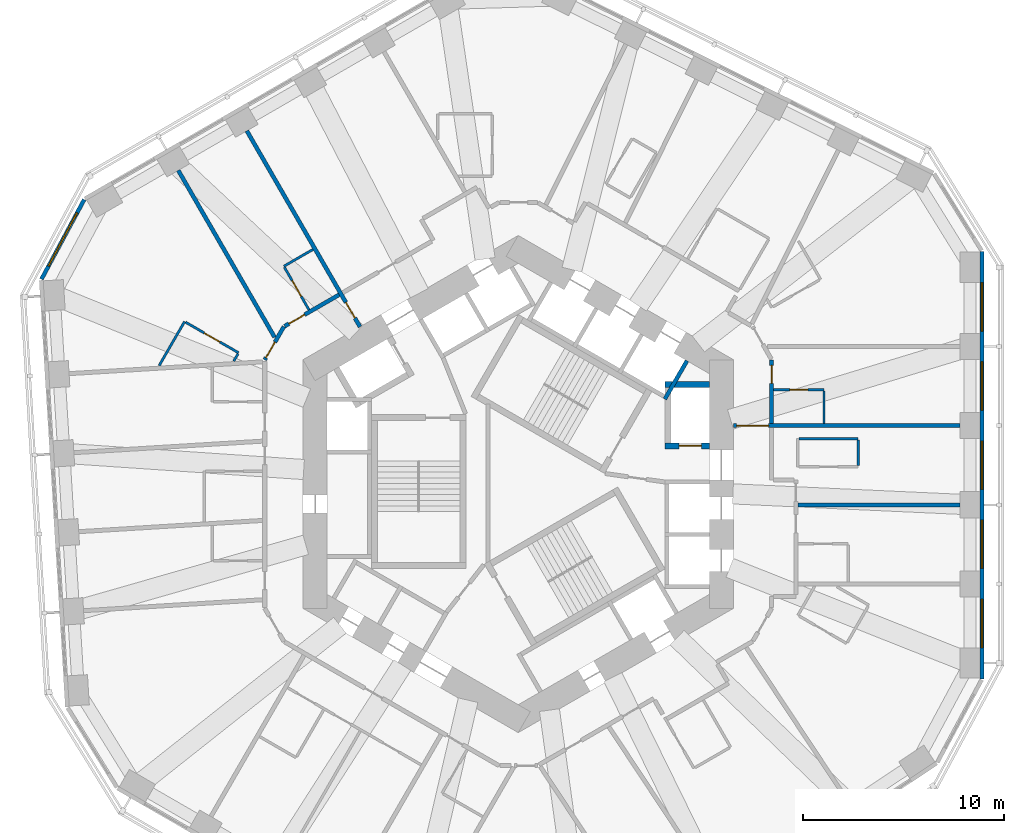
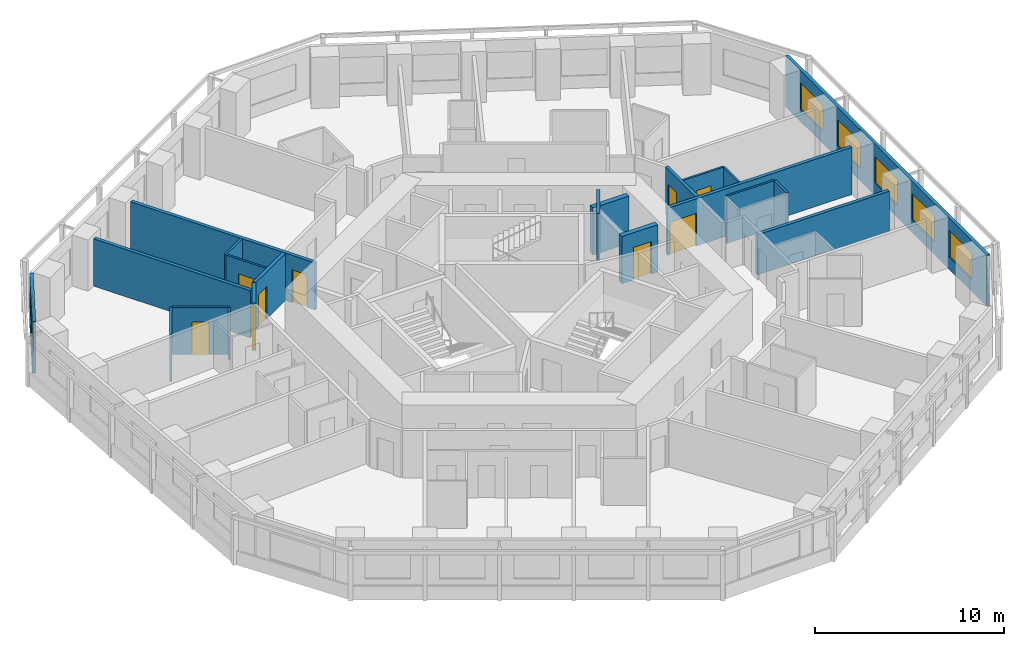
# One storey, part 7 of 12: 21 walls, 9 doors, 6 windows, 15 openings.
"""IFC4 building model written with IfcOpenShell, lengths in metres."""

from ifc_helpers import new_model, si_unit, direction, frame, frame_2d, origin, place, context, subcontext, project, spatial, rectangle, extrude, material, layer, layer_set, type_object, element, fill, save


model = new_model("IFC4")

# Units and contexts
model_context = context("Model", 3, precision=1e-05, world=origin(), true_north=direction((0.0, 1.0)))
body_context = subcontext(model_context, "Body", "Model", "MODEL_VIEW")
ifc_project = project(units=[si_unit("LENGTHUNIT", "METRE"), si_unit("AREAUNIT", "SQUARE_METRE"), si_unit("VOLUMEUNIT", "CUBIC_METRE"), si_unit("PLANEANGLEUNIT", "RADIAN"), si_unit("MASSUNIT", "GRAM", prefix="KILO")], contexts=[model_context])

# Site, building, storey
site_placement = place(None, origin())
site = spatial("IfcSite", under=ifc_project, at=site_placement, CompositionType="ELEMENT")
building_placement = place(site_placement, origin())
building = spatial("IfcBuilding", under=site, at=building_placement, Name="Vanh Sen Convention Tower", CompositionType="ELEMENT")
storey_placement = place(building_placement, frame((0.0, 0.0, 57.199951171875)))
storey = spatial("IfcBuildingStorey", under=building, at=storey_placement, Name="L11", CompositionType="ELEMENT", Elevation=57.199951171875)

# Wall
ifc_material_1 = material(Name="Moisture-resistant gypsum board on steel studs", Category="steel")
ifc_layer_1 = layer(ifc_material_1, 0.1201171875)
ifc_layer_set_1 = layer_set([ifc_layer_1], Name="Moisture-resistant gypsum board on steel studs")
wall_type_1 = type_object("IfcWallType", Name="Bathroom partition 120", PredefinedType="PARTITIONING", material=ifc_layer_set_1)
wall_1_placement = place(storey_placement, frame((-17.849365234375, 5.885498046875, 0.0), z_axis=(0.0, 0.0, 1.0), x_axis=(0.500034589094, 0.866005432841, 0.0)))
element("IfcWall", 1, at=wall_1_placement, inside=storey, type_object=wall_type_1, Name="Bathroom partition 120", PredefinedType="PARTITIONING", context=body_context, shape_type="SweptSolid", body=[
    extrude(rectangle(XDim=2.527587890625, YDim=0.1201171875, at=frame_2d((1.263671875, 0.0))), origin(), (0.0, 0.0, 1.0), 3.050048828125),
])

# Wall, opening, door
wall_2_placement = place(storey_placement, frame((-16.533447265625, 8.04443359375, 0.0), z_axis=(0.0, 0.0, 1.0), x_axis=(0.86601037836, -0.500026023896, 0.0)))
wall_2 = element("IfcWall", 2, at=wall_2_placement, inside=storey, type_object=wall_type_1, Name="Bathroom partition 120", PredefinedType="PARTITIONING", context=body_context, shape_type="SweptSolid", body=[
    extrude(rectangle(XDim=3.039794921875, YDim=0.1201171875, at=frame_2d((1.52001953125, 0.0))), origin(), (0.0, 0.0, 1.0), 3.050048828125),
])
opening_1_placement = place(wall_2_placement, frame((1.070068359375, 0.0, 0.0)))
opening_1 = element("IfcOpeningElement", 3, at=opening_1_placement, cuts=wall_2, Name="Opening D10119", PredefinedType="OPENING", context=body_context, shape_type="SweptSolid", body=[
    extrude(rectangle(XDim=0.89990234375, YDim=2.10009765625, at=frame_2d((0.449951171875, 1.050048828125))), frame((0.0, 0.070068359375, 0.0), z_axis=(0.0, -1.0, 0.0), x_axis=(1.0, 0.0, 0.0)), (0.0, 0.0, 1.0), 0.14013671875),
])
ifc_material_2 = material(Name="Laminate door in steel frame", Category="steel")
door_type_1 = type_object("IfcDoorType", Name="En-suite door 900", OperationType="SINGLE_SWING_LEFT", PredefinedType="DOOR", material=ifc_material_2)
door_1_placement = place(opening_1_placement, origin())
door_1 = element("IfcDoor", 4, at=door_1_placement, inside=storey, type_object=door_type_1, Name="En-suite door D10119", OperationType="SINGLE_SWING_LEFT", OverallHeight=2.10009765625, OverallWidth=0.89990234375, PredefinedType="DOOR", context=body_context, shape_type="SweptSolid", body=[
    extrude(rectangle(XDim=0.89990234375, YDim=2.10009765625, at=frame_2d((0.449951171875, 1.050048828125))), frame((0.0, 0.02490234375, 0.0), z_axis=(0.0, -1.0, 0.0), x_axis=(1.0, 0.0, 0.0)), (0.0, 0.0, 1.0), 0.050048828125),
])
fill(opening_1, door_1)

# Walls
wall_3_placement = place(storey_placement, frame((-13.930908203125, 6.472412109375, 0.0), z_axis=(0.0, 0.0, 1.0), x_axis=(-0.499739399214, -0.866175809448, 0.0)))
element("IfcWall", 5, at=wall_3_placement, inside=storey, type_object=wall_type_1, Name="Bathroom partition 120", PredefinedType="PARTITIONING", context=body_context, shape_type="SweptSolid", body=[
    extrude(rectangle(XDim=0.415771484375, YDim=0.1201171875, at=frame_2d((0.2080078125, 0.0))), origin(), (0.0, 0.0, 1.0), 3.050048828125),
])
wall_4_placement = place(storey_placement, frame((-11.65087890625, 10.82470703125, 0.0), z_axis=(0.0, 0.0, 1.0), x_axis=(0.865998477143, 0.500046635412, 0.0)))
element("IfcWall", 6, at=wall_4_placement, inside=storey, type_object=wall_type_1, Name="Bathroom partition 120", PredefinedType="PARTITIONING", context=body_context, shape_type="SweptSolid", body=[
    extrude(rectangle(XDim=1.673095703125, YDim=0.1201171875, at=frame_2d((0.83642578125, 0.0))), origin(), (0.0, 0.0, 1.0), 3.050048828125),
])

# Wall, opening, door
wall_5_placement = place(storey_placement, frame((-10.40087890625, 8.65966796875, 0.0), z_axis=(0.0, 0.0, 1.0), x_axis=(-0.500077547548, 0.865980627057, 0.0)))
wall_5 = element("IfcWall", 7, at=wall_5_placement, inside=storey, type_object=wall_type_1, Name="Bathroom partition 120", PredefinedType="PARTITIONING", context=body_context, shape_type="SweptSolid", body=[
    extrude(rectangle(XDim=2.43994140625, YDim=0.1201171875, at=frame_2d((1.219970703125, 0.0))), origin(), (0.0, 0.0, 1.0), 3.050048828125),
])
opening_2_placement = place(wall_5_placement, frame((0.77001953125, 0.0, 0.0)))
opening_2 = element("IfcOpeningElement", 8, at=opening_2_placement, cuts=wall_5, Name="Opening D10117", PredefinedType="OPENING", context=body_context, shape_type="SweptSolid", body=[
    extrude(rectangle(XDim=0.89990234375, YDim=2.10009765625, at=frame_2d((0.449951171875, 1.050048828125))), frame((0.0, 0.070068359375, 0.0), z_axis=(0.0, -1.0, 0.0), x_axis=(1.0, 0.0, 0.0)), (0.0, 0.0, 1.0), 0.14013671875),
])
door_2_placement = place(opening_2_placement, origin())
door_2 = element("IfcDoor", 9, at=door_2_placement, inside=storey, type_object=door_type_1, Name="En-suite door D10117", OperationType="SINGLE_SWING_LEFT", OverallHeight=2.10009765625, OverallWidth=0.89990234375, PredefinedType="DOOR", context=body_context, shape_type="SweptSolid", body=[
    extrude(rectangle(XDim=0.89990234375, YDim=2.10009765625, at=frame_2d((0.449951171875, 1.050048828125))), frame((0.0, 0.02490234375, 0.0), z_axis=(0.0, -1.0, 0.0), x_axis=(1.0, 0.0, 0.0)), (0.0, 0.0, 1.0), 0.050048828125),
])
fill(opening_2, door_2)

wall_6_placement = place(storey_placement, frame((12.699951171875, 4.677490234375, 0.0), z_axis=(0.0, 0.0, 1.0), x_axis=(1.0, 0.0, 0.0)))
wall_6 = element("IfcWall", 10, at=wall_6_placement, inside=storey, type_object=wall_type_1, Name="Bathroom partition 120", PredefinedType="PARTITIONING", context=body_context, shape_type="SweptSolid", body=[
    extrude(rectangle(XDim=2.5, YDim=0.1201171875, at=frame_2d((1.25, 0.0))), origin(), (0.0, 0.0, 1.0), 3.050048828125),
])
opening_3_placement = place(wall_6_placement, frame((0.800048828125, 0.0, 0.0)))
opening_3 = element("IfcOpeningElement", 11, at=opening_3_placement, cuts=wall_6, Name="Opening D10106", PredefinedType="OPENING", context=body_context, shape_type="SweptSolid", body=[
    extrude(rectangle(XDim=0.89990234375, YDim=2.10009765625, at=frame_2d((0.449951171875, 1.050048828125))), frame((0.0, 0.070068359375, 0.0), z_axis=(0.0, -1.0, 0.0), x_axis=(1.0, 0.0, 0.0)), (0.0, 0.0, 1.0), 0.14013671875),
])
door_3_placement = place(opening_3_placement, origin())
door_3 = element("IfcDoor", 12, at=door_3_placement, inside=storey, type_object=door_type_1, Name="En-suite door D10106", OperationType="SINGLE_SWING_LEFT", OverallHeight=2.10009765625, OverallWidth=0.89990234375, PredefinedType="DOOR", context=body_context, shape_type="SweptSolid", body=[
    extrude(rectangle(XDim=0.89990234375, YDim=2.10009765625, at=frame_2d((0.449951171875, 1.050048828125))), frame((0.0, 0.02490234375, 0.0), z_axis=(0.0, -1.0, 0.0), x_axis=(1.0, 0.0, 0.0)), (0.0, 0.0, 1.0), 0.050048828125),
])
fill(opening_3, door_3)

# Walls
wall_7_placement = place(storey_placement, frame((13.9599609375, 2.252685546875, 0.0), z_axis=(0.0, 0.0, 1.0), x_axis=(1.0, 0.0, 0.0)))
element("IfcWall", 13, at=wall_7_placement, inside=storey, type_object=wall_type_1, Name="Bathroom partition 120", PredefinedType="PARTITIONING", context=body_context, shape_type="SweptSolid", body=[
    extrude(rectangle(XDim=2.93994140625, YDim=0.1201171875, at=frame_2d((1.469970703125, 0.0))), origin(), (0.0, 0.0, 1.0), 3.050048828125),
])
wall_8_placement = place(storey_placement, frame((15.199951171875, 4.61767578125, 0.0), z_axis=(0.0, 0.0, 1.0), x_axis=(0.0, -1.0, 0.0)))
element("IfcWall", 14, at=wall_8_placement, inside=storey, type_object=wall_type_1, Name="Bathroom partition 120", PredefinedType="PARTITIONING", context=body_context, shape_type="SweptSolid", body=[
    extrude(rectangle(XDim=1.61328125, YDim=0.1201171875, at=frame_2d((0.806640625, 0.0))), origin(), (0.0, 0.0, 1.0), 3.050048828125),
])
wall_9_placement = place(storey_placement, frame((16.89990234375, 2.19287109375, 0.0), z_axis=(0.0, 0.0, 1.0), x_axis=(0.0, -1.0, 0.0)))
element("IfcWall", 15, at=wall_9_placement, inside=storey, type_object=wall_type_1, Name="Bathroom partition 120", PredefinedType="PARTITIONING", context=body_context, shape_type="SweptSolid", body=[
    extrude(rectangle(XDim=1.280029296875, YDim=0.1201171875, at=frame_2d((0.64013671875, 0.0))), origin(), (0.0, 0.0, 1.0), 3.050048828125),
])

# Wall, opening, door
ifc_material_3 = material(Name="Gypsum board on steel studs with mineral wool", Category="steel")
ifc_layer_2 = layer(ifc_material_3, 0.199951171875)
ifc_layer_set_2 = layer_set([ifc_layer_2], Name="Gypsum board on steel studs with mineral wool")
wall_type_2 = type_object("IfcWallType", Name="Corridor partition wall 200", PredefinedType="PARTITIONING", material=ifc_layer_set_2)
wall_10_placement = place(storey_placement, frame((-11.64990234375, 7.822998046875, 0.0), z_axis=(0.0, 0.0, 1.0), x_axis=(-0.500063520245, -0.865988727248, 0.0)))
wall_10 = element("IfcWall", 16, at=wall_10_placement, inside=storey, type_object=wall_type_2, Name="Corridor partition wall 200", PredefinedType="PARTITIONING", context=body_context, shape_type="SweptSolid", body=[
    extrude(rectangle(XDim=1.900146484375, YDim=0.199951171875, at=frame_2d((0.9501953125, 0.0))), origin(), (0.0, 0.0, 1.0), 3.050048828125),
])
opening_4_placement = place(wall_10_placement, frame((0.8818359375, 0.0, 0.0)))
opening_4 = element("IfcOpeningElement", 17, at=opening_4_placement, cuts=wall_10, Name="Opening D10118", PredefinedType="OPENING", context=body_context, shape_type="SweptSolid", body=[
    extrude(rectangle(XDim=0.89990234375, YDim=2.10009765625, at=frame_2d((0.449951171875, 1.050048828125))), frame((0.0, 0.10986328125, 0.0), z_axis=(0.0, -1.0, 0.0), x_axis=(1.0, 0.0, 0.0)), (0.0, 0.0, 1.0), 0.219970703125),
])
ifc_material_4 = material(Name="Timber fire door in steel frame", Category="steel")
door_type_2 = type_object("IfcDoorType", Name="Guest room door 900", OperationType="SINGLE_SWING_LEFT", PredefinedType="DOOR", material=ifc_material_4)
door_4_placement = place(opening_4_placement, origin())
door_4 = element("IfcDoor", 18, at=door_4_placement, inside=storey, type_object=door_type_2, Name="Hotel guest room door D10118", OperationType="SINGLE_SWING_LEFT", OverallHeight=2.10009765625, OverallWidth=0.89990234375, PredefinedType="DOOR", context=body_context, shape_type="SweptSolid", body=[
    extrude(rectangle(XDim=0.89990234375, YDim=2.10009765625, at=frame_2d((0.449951171875, 1.050048828125))), frame((0.0, 0.02490234375, 0.0), z_axis=(0.0, -1.0, 0.0), x_axis=(1.0, 0.0, 0.0)), (0.0, 0.0, 1.0), 0.050048828125),
])
fill(opening_4, door_4)

wall_11_placement = place(storey_placement, frame((-8.902099609375, 9.40966796875, 0.0), z_axis=(0.0, 0.0, 1.0), x_axis=(-0.866014299198, -0.500019233215, 0.0)))
wall_11 = element("IfcWall", 19, at=wall_11_placement, inside=storey, type_object=wall_type_2, Name="Corridor partition wall 200", PredefinedType="PARTITIONING", context=body_context, shape_type="SweptSolid", body=[
    extrude(rectangle(XDim=3.13330078125, YDim=0.199951171875, at=frame_2d((1.566650390625, 0.0))), origin(), (0.0, 0.0, 1.0), 3.050048828125),
])
opening_5_placement = place(wall_11_placement, frame((1.97802734375, 0.0, 0.0)))
opening_5 = element("IfcOpeningElement", 20, at=opening_5_placement, cuts=wall_11, Name="Opening D10116", PredefinedType="OPENING", context=body_context, shape_type="SweptSolid", body=[
    extrude(rectangle(XDim=0.89990234375, YDim=2.10009765625, at=frame_2d((0.449951171875, 1.050048828125))), frame((0.0, 0.10986328125, 0.0), z_axis=(0.0, -1.0, 0.0), x_axis=(1.0, 0.0, 0.0)), (0.0, 0.0, 1.0), 0.219970703125),
])
door_5_placement = place(opening_5_placement, origin())
door_5 = element("IfcDoor", 21, at=door_5_placement, inside=storey, type_object=door_type_2, Name="Hotel guest room door D10116", OperationType="SINGLE_SWING_LEFT", OverallHeight=2.10009765625, OverallWidth=0.89990234375, PredefinedType="DOOR", context=body_context, shape_type="SweptSolid", body=[
    extrude(rectangle(XDim=0.89990234375, YDim=2.10009765625, at=frame_2d((0.449951171875, 1.050048828125))), frame((0.0, 0.02490234375, 0.0), z_axis=(0.0, -1.0, 0.0), x_axis=(1.0, 0.0, 0.0)), (0.0, 0.0, 1.0), 0.050048828125),
])
fill(opening_5, door_5)

wall_12_placement = place(storey_placement, frame((12.60009765625, 3.00439453125, 0.0), z_axis=(0.0, 0.0, 1.0), x_axis=(0.0, 1.0, 0.0)))
wall_12 = element("IfcWall", 22, at=wall_12_placement, inside=storey, type_object=wall_type_2, Name="Corridor partition wall 200", PredefinedType="PARTITIONING", context=body_context, shape_type="SweptSolid", body=[
    extrude(rectangle(XDim=3.173095703125, YDim=0.199951171875, at=frame_2d((1.58642578125, 0.0))), origin(), (0.0, 0.0, 1.0), 3.050048828125),
])
opening_6_placement = place(wall_12_placement, frame((1.998046875, 0.0, 0.0)))
opening_6 = element("IfcOpeningElement", 23, at=opening_6_placement, cuts=wall_12, Name="Opening D10105", PredefinedType="OPENING", context=body_context, shape_type="SweptSolid", body=[
    extrude(rectangle(XDim=0.89990234375, YDim=2.10009765625, at=frame_2d((0.449951171875, 1.050048828125))), frame((0.0, 0.10986328125, 0.0), z_axis=(0.0, -1.0, 0.0), x_axis=(1.0, 0.0, 0.0)), (0.0, 0.0, 1.0), 0.219970703125),
])
door_6_placement = place(opening_6_placement, origin())
door_6 = element("IfcDoor", 24, at=door_6_placement, inside=storey, type_object=door_type_2, Name="Hotel guest room door D10105", OperationType="SINGLE_SWING_LEFT", OverallHeight=2.10009765625, OverallWidth=0.89990234375, PredefinedType="DOOR", context=body_context, shape_type="SweptSolid", body=[
    extrude(rectangle(XDim=0.89990234375, YDim=2.10009765625, at=frame_2d((0.449951171875, 1.050048828125))), frame((0.0, 0.02490234375, 0.0), z_axis=(0.0, -1.0, 0.0), x_axis=(1.0, 0.0, 0.0)), (0.0, 0.0, 1.0), 0.050048828125),
])
fill(opening_6, door_6)

# Wall, openings, windows
ifc_material_5 = material(Name="Insulated lightweight infill wall")
ifc_layer_3 = layer(ifc_material_5, 0.199951171875)
ifc_layer_set_3 = layer_set([ifc_layer_3], Name="Insulated lightweight infill wall")
wall_type_3 = type_object("IfcWallType", Name="External wall 200", PredefinedType="STANDARD", material=ifc_layer_set_3)
wall_13_placement = place(storey_placement, frame((23.050048828125, -9.6865234375, 0.0), z_axis=(0.0, 0.0, 1.0), x_axis=(0.0, 1.0, 0.0)))
wall_13 = element("IfcWall", 25, at=wall_13_placement, inside=storey, type_object=wall_type_3, Name="External wall E L11", PredefinedType="STANDARD", context=body_context, shape_type="SweptSolid", body=[
    extrude(rectangle(XDim=21.24609375, YDim=0.199951171875, at=frame_2d((10.623046875, 0.0))), origin(), (0.0, 0.0, 1.0), 3.300048828125),
])
opening_7_placement = place(wall_13_placement, frame((1.5546875, 0.0, 0.800048828125)))
opening_7 = element("IfcOpeningElement", 26, at=opening_7_placement, cuts=wall_13, Name="Opening WH1-E1", PredefinedType="OPENING", context=body_context, shape_type="SweptSolid", body=[
    extrude(rectangle(XDim=2.39990234375, YDim=1.699951171875, at=frame_2d((1.199951171875, 0.85009765625))), frame((0.0, 0.10986328125, 0.0), z_axis=(0.0, -1.0, 0.0), x_axis=(1.0, 0.0, 0.0)), (0.0, 0.0, 1.0), 0.219970703125),
])
opening_8_placement = place(wall_13_placement, frame((5.4892578125, 0.0, 0.800048828125)))
opening_8 = element("IfcOpeningElement", 27, at=opening_8_placement, cuts=wall_13, Name="Opening WH1-E2", PredefinedType="OPENING", context=body_context, shape_type="SweptSolid", body=[
    extrude(rectangle(XDim=2.39990234375, YDim=1.699951171875, at=frame_2d((1.199951171875, 0.85009765625))), frame((0.0, 0.10986328125, 0.0), z_axis=(0.0, -1.0, 0.0), x_axis=(1.0, 0.0, 0.0)), (0.0, 0.0, 1.0), 0.219970703125),
])
opening_9_placement = place(wall_13_placement, frame((9.423828125, 0.0, 0.800048828125)))
opening_9 = element("IfcOpeningElement", 28, at=opening_9_placement, cuts=wall_13, Name="Opening WH1-E3", PredefinedType="OPENING", context=body_context, shape_type="SweptSolid", body=[
    extrude(rectangle(XDim=2.39990234375, YDim=1.699951171875, at=frame_2d((1.199951171875, 0.85009765625))), frame((0.0, 0.10986328125, 0.0), z_axis=(0.0, -1.0, 0.0), x_axis=(1.0, 0.0, 0.0)), (0.0, 0.0, 1.0), 0.219970703125),
])
opening_10_placement = place(wall_13_placement, frame((13.3583984375, 0.0, 0.800048828125)))
opening_10 = element("IfcOpeningElement", 29, at=opening_10_placement, cuts=wall_13, Name="Opening WH1-E4", PredefinedType="OPENING", context=body_context, shape_type="SweptSolid", body=[
    extrude(rectangle(XDim=2.39990234375, YDim=1.699951171875, at=frame_2d((1.199951171875, 0.85009765625))), frame((0.0, 0.10986328125, 0.0), z_axis=(0.0, -1.0, 0.0), x_axis=(1.0, 0.0, 0.0)), (0.0, 0.0, 1.0), 0.219970703125),
])
opening_11_placement = place(wall_13_placement, frame((17.29296875, 0.0, 0.800048828125)))
opening_11 = element("IfcOpeningElement", 30, at=opening_11_placement, cuts=wall_13, Name="Opening WH1-E5", PredefinedType="OPENING", context=body_context, shape_type="SweptSolid", body=[
    extrude(rectangle(XDim=2.39990234375, YDim=1.699951171875, at=frame_2d((1.199951171875, 0.85009765625))), frame((0.0, 0.10986328125, 0.0), z_axis=(0.0, -1.0, 0.0), x_axis=(1.0, 0.0, 0.0)), (0.0, 0.0, 1.0), 0.219970703125),
])
ifc_material_6 = material(Name="Aluminium frame with clear low-emissivity glass", Category="aluminium")
window_type_1 = type_object("IfcWindowType", Name="Hotel window 2400 x 1700", PartitioningType="SINGLE_PANEL", PredefinedType="WINDOW", material=ifc_material_6)
window_1_placement = place(opening_7_placement, origin())
window_1 = element("IfcWindow", 31, at=window_1_placement, inside=storey, type_object=window_type_1, Name="Window WH1-E1", OverallHeight=1.699951171875, OverallWidth=2.39990234375, PartitioningType="SINGLE_PANEL", PredefinedType="WINDOW", context=body_context, shape_type="SweptSolid", body=[
    extrude(rectangle(XDim=2.39990234375, YDim=1.699951171875, at=frame_2d((1.199951171875, 0.85009765625))), frame((0.0, 0.030029296875, 0.0), z_axis=(0.0, -1.0, 0.0), x_axis=(1.0, 0.0, 0.0)), (0.0, 0.0, 1.0), 0.06005859375),
])
fill(opening_7, window_1)
window_2_placement = place(opening_8_placement, origin())
window_2 = element("IfcWindow", 32, at=window_2_placement, inside=storey, type_object=window_type_1, Name="Window WH1-E2", OverallHeight=1.699951171875, OverallWidth=2.39990234375, PartitioningType="SINGLE_PANEL", PredefinedType="WINDOW", context=body_context, shape_type="SweptSolid", body=[
    extrude(rectangle(XDim=2.39990234375, YDim=1.699951171875, at=frame_2d((1.199951171875, 0.85009765625))), frame((0.0, 0.030029296875, 0.0), z_axis=(0.0, -1.0, 0.0), x_axis=(1.0, 0.0, 0.0)), (0.0, 0.0, 1.0), 0.06005859375),
])
fill(opening_8, window_2)
window_3_placement = place(opening_9_placement, origin())
window_3 = element("IfcWindow", 33, at=window_3_placement, inside=storey, type_object=window_type_1, Name="Window WH1-E3", OverallHeight=1.699951171875, OverallWidth=2.39990234375, PartitioningType="SINGLE_PANEL", PredefinedType="WINDOW", context=body_context, shape_type="SweptSolid", body=[
    extrude(rectangle(XDim=2.39990234375, YDim=1.699951171875, at=frame_2d((1.199951171875, 0.85009765625))), frame((0.0, 0.030029296875, 0.0), z_axis=(0.0, -1.0, 0.0), x_axis=(1.0, 0.0, 0.0)), (0.0, 0.0, 1.0), 0.06005859375),
])
fill(opening_9, window_3)
window_4_placement = place(opening_10_placement, origin())
window_4 = element("IfcWindow", 34, at=window_4_placement, inside=storey, type_object=window_type_1, Name="Window WH1-E4", OverallHeight=1.699951171875, OverallWidth=2.39990234375, PartitioningType="SINGLE_PANEL", PredefinedType="WINDOW", context=body_context, shape_type="SweptSolid", body=[
    extrude(rectangle(XDim=2.39990234375, YDim=1.699951171875, at=frame_2d((1.199951171875, 0.85009765625))), frame((0.0, 0.030029296875, 0.0), z_axis=(0.0, -1.0, 0.0), x_axis=(1.0, 0.0, 0.0)), (0.0, 0.0, 1.0), 0.06005859375),
])
fill(opening_10, window_4)
window_5_placement = place(opening_11_placement, origin())
window_5 = element("IfcWindow", 35, at=window_5_placement, inside=storey, type_object=window_type_1, Name="Window WH1-E5", OverallHeight=1.699951171875, OverallWidth=2.39990234375, PartitioningType="SINGLE_PANEL", PredefinedType="WINDOW", context=body_context, shape_type="SweptSolid", body=[
    extrude(rectangle(XDim=2.39990234375, YDim=1.699951171875, at=frame_2d((1.199951171875, 0.85009765625))), frame((0.0, 0.030029296875, 0.0), z_axis=(0.0, -1.0, 0.0), x_axis=(1.0, 0.0, 0.0)), (0.0, 0.0, 1.0), 0.06005859375),
])
fill(opening_11, window_5)

# Wall, opening, window
wall_14_placement = place(storey_placement, frame((-21.573974609375, 14.142822265625, 0.0), z_axis=(0.0, 0.0, 1.0), x_axis=(-0.473292949472, -0.880905093628, 0.0)))
wall_14 = element("IfcWall", 36, at=wall_14_placement, inside=storey, type_object=wall_type_3, Name="External wall CH3 L11", PredefinedType="STANDARD", context=body_context, shape_type="SweptSolid", body=[
    extrude(rectangle(XDim=4.493896484375, YDim=0.199951171875, at=frame_2d((2.2470703125, 0.0))), origin(), (0.0, 0.0, 1.0), 3.300048828125),
])
opening_12_placement = place(wall_14_placement, frame((0.746826171875, 0.0, 0.800048828125)))
opening_12 = element("IfcOpeningElement", 37, at=opening_12_placement, cuts=wall_14, Name="Opening WH2-CH31", PredefinedType="OPENING", context=body_context, shape_type="SweptSolid", body=[
    extrude(rectangle(XDim=3.0, YDim=1.699951171875, at=frame_2d((1.5, 0.85009765625))), frame((0.0, 0.10986328125, 0.0), z_axis=(0.0, -1.0, 0.0), x_axis=(1.0, 0.0, 0.0)), (0.0, 0.0, 1.0), 0.219970703125),
])
window_type_2 = type_object("IfcWindowType", Name="Hotel window 3000 x 1700", PartitioningType="SINGLE_PANEL", PredefinedType="WINDOW", material=ifc_material_6)
window_6_placement = place(opening_12_placement, origin())
window_6 = element("IfcWindow", 38, at=window_6_placement, inside=storey, type_object=window_type_2, Name="Window WH2-CH31", OverallHeight=1.699951171875, OverallWidth=3.0, PartitioningType="SINGLE_PANEL", PredefinedType="WINDOW", context=body_context, shape_type="SweptSolid", body=[
    extrude(rectangle(XDim=3.0, YDim=1.699951171875, at=frame_2d((1.5, 0.85009765625))), frame((0.0, 0.030029296875, 0.0), z_axis=(0.0, -1.0, 0.0), x_axis=(1.0, 0.0, 0.0)), (0.0, 0.0, 1.0), 0.06005859375),
])
fill(opening_12, window_6)

# Wall, opening, door
ifc_material_7 = material(Name="Concrete C60/75", Category="concrete")
ifc_layer_4 = layer(ifc_material_7, 0.300048828125)
ifc_layer_set_4 = layer_set([ifc_layer_4], Name="Concrete C60/75")
wall_type_4 = type_object("IfcWallType", Name="Fire-fighting lift shaft wall 300", PredefinedType="SHEAR", material=ifc_layer_set_4)
wall_15_placement = place(storey_placement, frame((7.300048828125, 1.89990234375, 0.0), z_axis=(0.0, 0.0, 1.0), x_axis=(1.0, 0.0, 0.0)))
wall_15 = element("IfcWall", 39, at=wall_15_placement, inside=storey, type_object=wall_type_4, Name="Fire-fighting lift shaft wall L11", PredefinedType="SHEAR", context=body_context, shape_type="SweptSolid", body=[
    extrude(rectangle(XDim=2.199951171875, YDim=0.300048828125, at=frame_2d((1.10009765625, 0.0))), origin(), (0.0, 0.0, 1.0), 3.050048828125),
])
opening_13_placement = place(wall_15_placement, frame((0.699951171875, 0.0, 0.0)))
opening_13 = element("IfcOpeningElement", 40, at=opening_13_placement, cuts=wall_15, Name="Opening LD-FF1", PredefinedType="OPENING", context=body_context, shape_type="SweptSolid", body=[
    extrude(rectangle(XDim=1.10009765625, YDim=2.10009765625, at=frame_2d((0.550048828125, 1.050048828125))), frame((0.0, 0.159912109375, 0.0), z_axis=(0.0, -1.0, 0.0), x_axis=(1.0, 0.0, 0.0)), (0.0, 0.0, 1.0), 0.320068359375),
])
ifc_material_8 = material(Name="Stainless steel", Category="steel")
door_type_3 = type_object("IfcDoorType", Name="Fire-fighting lift landing door 1100", OperationType="DOUBLE_DOOR_SLIDING", PredefinedType="DOOR", material=ifc_material_8)
door_7_placement = place(opening_13_placement, origin())
door_7 = element("IfcDoor", 41, at=door_7_placement, inside=storey, type_object=door_type_3, Name="Lift FF1 landing door LD-FF1", OperationType="DOUBLE_DOOR_SLIDING", OverallHeight=2.10009765625, OverallWidth=1.10009765625, PredefinedType="DOOR", context=body_context, shape_type="SweptSolid", body=[
    extrude(rectangle(XDim=1.10009765625, YDim=2.10009765625, at=frame_2d((0.550048828125, 1.050048828125))), frame((0.0, 0.02490234375, 0.0), z_axis=(0.0, -1.0, 0.0), x_axis=(1.0, 0.0, 0.0)), (0.0, 0.0, 1.0), 0.050048828125),
])
fill(opening_13, door_7)

# Walls
wall_16_placement = place(storey_placement, frame((7.300048828125, 4.949951171875, 0.0), z_axis=(0.0, 0.0, 1.0), x_axis=(1.0, 0.0, 0.0)))
element("IfcWall", 42, at=wall_16_placement, inside=storey, type_object=wall_type_4, Name="Fire-fighting lift shaft wall L11", PredefinedType="SHEAR", context=body_context, shape_type="SweptSolid", body=[
    extrude(rectangle(XDim=2.199951171875, YDim=0.300048828125, at=frame_2d((1.10009765625, 0.0))), origin(), (0.0, 0.0, 1.0), 3.050048828125),
])
ifc_layer_5 = layer(ifc_material_3, 0.199951171875)
ifc_layer_set_5 = layer_set([ifc_layer_5], Name="Gypsum board on steel studs with mineral wool")
wall_type_5 = type_object("IfcWallType", Name="Hotel party wall 200", PredefinedType="PARTITIONING", material=ifc_layer_set_5)
wall_17_placement = place(storey_placement, frame((-16.89794921875, 15.589599609375, 0.0), z_axis=(0.0, 0.0, 1.0), x_axis=(0.500023458698, -0.866011859475, 0.0)))
element("IfcWall", 43, at=wall_17_placement, inside=storey, type_object=wall_type_5, Name="Hotel party wall 200", PredefinedType="PARTITIONING", context=body_context, shape_type="SweptSolid", body=[
    extrude(rectangle(XDim=9.57177734375, YDim=0.199951171875, at=frame_2d((4.785888671875, 0.0))), origin(), (0.0, 0.0, 1.0), 3.050048828125),
])
wall_18_placement = place(storey_placement, frame((21.949951171875, -1.030029296875, 0.0), z_axis=(0.0, 0.0, 1.0), x_axis=(-1.0, 0.0, 0.0)))
element("IfcWall", 44, at=wall_18_placement, inside=storey, type_object=wall_type_5, Name="Hotel party wall 200", PredefinedType="PARTITIONING", context=body_context, shape_type="SweptSolid", body=[
    extrude(rectangle(XDim=8.049072265625, YDim=0.199951171875, at=frame_2d((4.0244140625, 0.0))), origin(), (0.0, 0.0, 1.0), 2.60009765625),
])
ifc_material_9 = material(Name="Concrete C40/50", Category="concrete")
ifc_layer_6 = layer(ifc_material_9, 0.199951171875)
ifc_layer_set_6 = layer_set([ifc_layer_6], Name="Concrete C40/50")
wall_type_6 = type_object("IfcWallType", Name="Lift shaft wall 200", PredefinedType="PARTITIONING", material=ifc_layer_set_6)
wall_19_placement = place(storey_placement, frame((7.287353515625, 4.221923828125, 0.0), z_axis=(0.0, 0.0, 1.0), x_axis=(0.499946605688, 0.86605622881, 0.0)))
element("IfcWall", 45, at=wall_19_placement, inside=storey, type_object=wall_type_6, Name="Lift shaft wall L11", PredefinedType="PARTITIONING", context=body_context, shape_type="SweptSolid", body=[
    extrude(rectangle(XDim=2.199951171875, YDim=0.199951171875, at=frame_2d((1.10009765625, 0.0))), origin(), (0.0, 0.0, 1.0), 3.050048828125),
])

# Wall, opening, door
ifc_material_10 = material(Name="Concrete C20/25", Category="concrete")
ifc_layer_7 = layer(ifc_material_10, 0.199951171875)
ifc_layer_set_7 = layer_set([ifc_layer_7], Name="Concrete C20/25")
wall_type_7 = type_object("IfcWallType", Name="Sub-compartment wall 200", PredefinedType="PARTITIONING", material=ifc_layer_set_7)
wall_20_placement = place(storey_placement, frame((-7.865478515625, 7.814208984375, 0.0), z_axis=(0.0, 0.0, 1.0), x_axis=(-0.500004234368, 0.866022959057, 0.0)))
wall_20 = element("IfcWall", 46, at=wall_20_placement, inside=storey, type_object=wall_type_7, Name="Sub-compartment wall 200", PredefinedType="PARTITIONING", context=body_context, shape_type="SweptSolid", body=[
    extrude(rectangle(XDim=11.25, YDim=0.199951171875, at=frame_2d((5.625, 0.0))), origin(), (0.0, 0.0, 1.0), 3.050048828125),
])
opening_14_placement = place(wall_20_placement, frame((0.5, 0.0, 0.0)))
opening_14 = element("IfcOpeningElement", 47, at=opening_14_placement, cuts=wall_20, Name="Opening D10139", PredefinedType="OPENING", context=body_context, shape_type="SweptSolid", body=[
    extrude(rectangle(XDim=0.89990234375, YDim=2.10009765625, at=frame_2d((0.449951171875, 1.050048828125))), frame((0.0, 0.10986328125, 0.0), z_axis=(0.0, -1.0, 0.0), x_axis=(1.0, 0.0, 0.0)), (0.0, 0.0, 1.0), 0.219970703125),
])
ifc_material_11 = material(Name="Steel S355", Category="steel")
door_type_4 = type_object("IfcDoorType", Name="Corridor fire door 900", OperationType="SINGLE_SWING_LEFT", PredefinedType="DOOR", material=ifc_material_11)
door_8_placement = place(opening_14_placement, origin())
door_8 = element("IfcDoor", 48, at=door_8_placement, inside=storey, type_object=door_type_4, Name="Sub-compartment door D10139", OperationType="SINGLE_SWING_LEFT", OverallHeight=2.10009765625, OverallWidth=0.89990234375, PredefinedType="DOOR", context=body_context, shape_type="SweptSolid", body=[
    extrude(rectangle(XDim=0.89990234375, YDim=2.10009765625, at=frame_2d((0.449951171875, 1.050048828125))), frame((0.0, 0.02490234375, 0.0), z_axis=(0.0, -1.0, 0.0), x_axis=(1.0, 0.0, 0.0)), (0.0, 0.0, 1.0), 0.050048828125),
])
fill(opening_14, door_8)

wall_21_placement = place(storey_placement, frame((21.949951171875, 2.904541015625, 0.0), z_axis=(0.0, 0.0, 1.0), x_axis=(-1.0, 0.0, 0.0)))
wall_21 = element("IfcWall", 49, at=wall_21_placement, inside=storey, type_object=wall_type_7, Name="Sub-compartment wall 200", PredefinedType="PARTITIONING", context=body_context, shape_type="SweptSolid", body=[
    extrude(rectangle(XDim=11.25, YDim=0.199951171875, at=frame_2d((5.625, 0.0))), origin(), (0.0, 0.0, 1.0), 3.050048828125),
])
opening_15_placement = place(wall_21_placement, frame((9.5, 0.0, 0.0)))
opening_15 = element("IfcOpeningElement", 50, at=opening_15_placement, cuts=wall_21, Name="Opening D10140", PredefinedType="OPENING", context=body_context, shape_type="SweptSolid", body=[
    extrude(rectangle(XDim=1.60009765625, YDim=2.10009765625, at=frame_2d((0.800048828125, 1.050048828125))), frame((0.0, 0.10986328125, 0.0), z_axis=(0.0, -1.0, 0.0), x_axis=(1.0, 0.0, 0.0)), (0.0, 0.0, 1.0), 0.219970703125),
])
door_type_5 = type_object("IfcDoorType", Name="Corridor fire door 1600", OperationType="DOUBLE_DOOR_SINGLE_SWING", PredefinedType="DOOR", material=ifc_material_11)
door_9_placement = place(opening_15_placement, origin())
door_9 = element("IfcDoor", 51, at=door_9_placement, inside=storey, type_object=door_type_5, Name="Sub-compartment door D10140", OperationType="DOUBLE_DOOR_SINGLE_SWING", OverallHeight=2.10009765625, OverallWidth=1.60009765625, PredefinedType="DOOR", context=body_context, shape_type="SweptSolid", body=[
    extrude(rectangle(XDim=1.60009765625, YDim=2.10009765625, at=frame_2d((0.800048828125, 1.050048828125))), frame((0.0, 0.02490234375, 0.0), z_axis=(0.0, -1.0, 0.0), x_axis=(1.0, 0.0, 0.0)), (0.0, 0.0, 1.0), 0.050048828125),
])
fill(opening_15, door_9)

save(model, "model.ifc")
